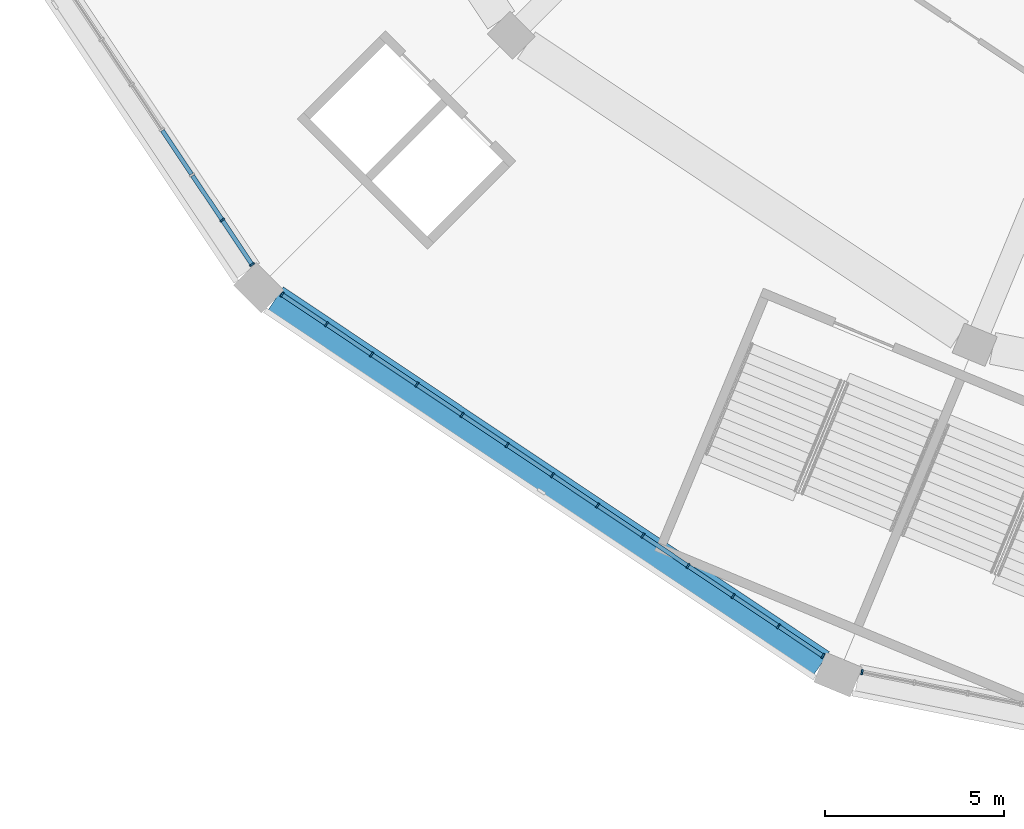
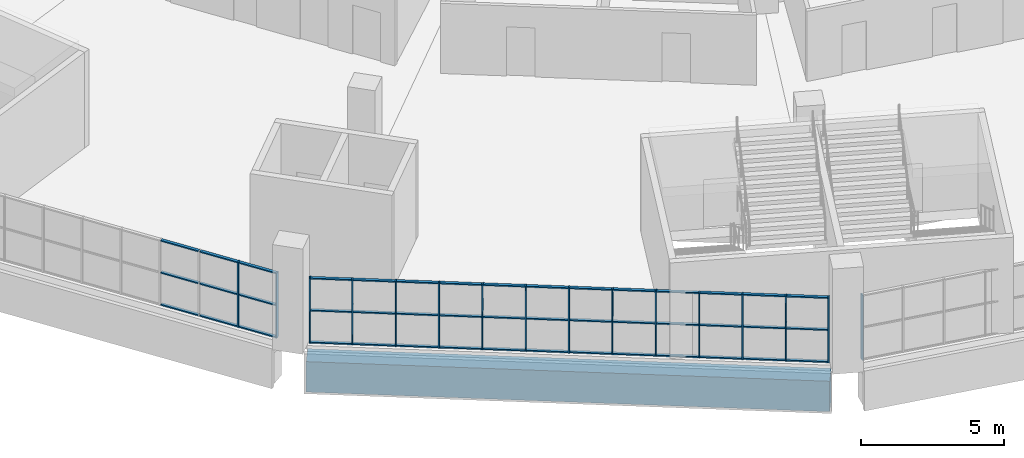
# One storey, part 2 of 199: 61 members, 1 beam, 3 elements without a shape of their own.
"""IFC4 building model written with IfcOpenShell, lengths in metres."""

from ifc_helpers import new_model, si_unit, direction, frame, origin, origin_2d, place, context, subcontext, project, spatial, rectangle, extrude, material, material_profile, profile_set, type_object, element, aggregate, save


model = new_model("IFC4")

# Units and contexts
model_context = context("Model", 3, precision=1e-05, world=origin(), true_north=direction((0.0, 1.0)))
body_context = subcontext(model_context, "Body", "Model", "MODEL_VIEW")
ifc_project = project(units=[si_unit("LENGTHUNIT", "METRE"), si_unit("AREAUNIT", "SQUARE_METRE"), si_unit("VOLUMEUNIT", "CUBIC_METRE"), si_unit("PLANEANGLEUNIT", "RADIAN"), si_unit("MASSUNIT", "GRAM", prefix="KILO")], contexts=[model_context])

# Site, building, storey
site_placement = place(None, origin())
site = spatial("IfcSite", under=ifc_project, at=site_placement, CompositionType="ELEMENT")
building_placement = place(site_placement, origin())
building = spatial("IfcBuilding", under=site, at=building_placement, Name="Ogive Plaza Stadium", CompositionType="ELEMENT")
storey_placement = place(building_placement, frame((0.0, 0.0, 9.0)))
storey = spatial("IfcBuildingStorey", under=building, at=storey_placement, Name="L02", CompositionType="ELEMENT", Elevation=9.0)

# Curtain wall, member
ifc_material_1 = material(Name="Bronze-anodised aluminium with laminated glass", Category="aluminium")
curtain_wall_type = type_object("IfcCurtainWallType", Name="Lancet curtain wall", PredefinedType="NOTDEFINED", material=ifc_material_1)
curtain_wall_1_placement = place(storey_placement, origin())
curtain_wall_1 = element("IfcCurtainWall", 1, at=curtain_wall_1_placement, inside=storey, type_object=curtain_wall_type, Name="CURTAIN WALL B17 L02", PredefinedType="NOTDEFINED")
ifc_material_2 = material(Name="Bronze-anodised aluminium", Category="aluminium")
ifc_material_profile_1 = material_profile(ifc_material_2, rectangle(XDim=0.14990234375, YDim=0.050048828125, at=origin_2d()), Name="AL 150x50")
ifc_profile_set_1 = profile_set([ifc_material_profile_1], Name="Bronze-anodised aluminium")
member_type_1 = type_object("IfcMemberType", Name="Curtain wall mullion 50x150", PredefinedType="MULLION", material=ifc_profile_set_1)
member_1_placement = place(storey_placement, frame((-52.462158203125, -98.623779296875, 0.0), z_axis=(0.0, 0.0, 1.0), x_axis=(-0.195090322033, -0.9807852804, 0.0)))
member_1 = element("IfcMember", 2, at=member_1_placement, type_object=member_type_1, Name="CW-B17-L02 mullion 13", PredefinedType="MULLION", context=body_context, shape_type="SweptSolid", body=[
    extrude(rectangle(XDim=0.14990234375, YDim=0.050048828125, at=origin_2d()), origin(), (0.0, 0.0, 1.0), 2.7900390625),
])
aggregate(curtain_wall_1, [member_1])

# Curtain wall, members
curtain_wall_2_placement = place(storey_placement, origin())
curtain_wall_2 = element("IfcCurtainWall", 3, at=curtain_wall_2_placement, inside=storey, type_object=curtain_wall_type, Name="CURTAIN WALL B18 L02", PredefinedType="NOTDEFINED")
member_2_placement = place(storey_placement, frame((-53.559814453125, -98.169189453125, 0.0), z_axis=(0.0, 0.0, 1.0), x_axis=(-0.55557023302, -0.831469612303, 0.0)))
member_2 = element("IfcMember", 4, at=member_2_placement, type_object=member_type_1, Name="CW-B18-L02 mullion 1", PredefinedType="MULLION", context=body_context, shape_type="SweptSolid", body=[
    extrude(rectangle(XDim=0.14990234375, YDim=0.050048828125, at=origin_2d()), origin(), (0.0, 0.0, 1.0), 2.7900390625),
])
member_3_placement = place(storey_placement, frame((-54.8046875, -97.337158203125, 0.0), z_axis=(0.0, 0.0, 1.0), x_axis=(-0.55557023302, -0.831469612303, 0.0)))
member_3 = element("IfcMember", 5, at=member_3_placement, type_object=member_type_1, Name="CW-B18-L02 mullion 2", PredefinedType="MULLION", context=body_context, shape_type="SweptSolid", body=[
    extrude(rectangle(XDim=0.14990234375, YDim=0.050048828125, at=origin_2d()), origin(), (0.0, 0.0, 1.0), 2.7900390625),
])
member_4_placement = place(storey_placement, frame((-56.070556640625, -96.491455078125, 0.0), z_axis=(0.0, 0.0, 1.0), x_axis=(-0.55557023302, -0.831469612303, 0.0)))
member_4 = element("IfcMember", 6, at=member_4_placement, type_object=member_type_1, Name="CW-B18-L02 mullion 3", PredefinedType="MULLION", context=body_context, shape_type="SweptSolid", body=[
    extrude(rectangle(XDim=0.14990234375, YDim=0.050048828125, at=origin_2d()), origin(), (0.0, 0.0, 1.0), 2.7900390625),
])
member_5_placement = place(storey_placement, frame((-57.336181640625, -95.645751953125, 0.0), z_axis=(0.0, 0.0, 1.0), x_axis=(-0.55557023302, -0.831469612303, 0.0)))
member_5 = element("IfcMember", 7, at=member_5_placement, type_object=member_type_1, Name="CW-B18-L02 mullion 4", PredefinedType="MULLION", context=body_context, shape_type="SweptSolid", body=[
    extrude(rectangle(XDim=0.14990234375, YDim=0.050048828125, at=origin_2d()), origin(), (0.0, 0.0, 1.0), 2.7900390625),
])
member_6_placement = place(storey_placement, frame((-58.60205078125, -94.7998046875, 0.0), z_axis=(0.0, 0.0, 1.0), x_axis=(-0.55557023302, -0.831469612303, 0.0)))
member_6 = element("IfcMember", 8, at=member_6_placement, type_object=member_type_1, Name="CW-B18-L02 mullion 5", PredefinedType="MULLION", context=body_context, shape_type="SweptSolid", body=[
    extrude(rectangle(XDim=0.14990234375, YDim=0.050048828125, at=origin_2d()), origin(), (0.0, 0.0, 1.0), 2.7900390625),
])
member_7_placement = place(storey_placement, frame((-59.867919921875, -93.9541015625, 0.0), z_axis=(0.0, 0.0, 1.0), x_axis=(-0.55557023302, -0.831469612303, 0.0)))
member_7 = element("IfcMember", 9, at=member_7_placement, type_object=member_type_1, Name="CW-B18-L02 mullion 6", PredefinedType="MULLION", context=body_context, shape_type="SweptSolid", body=[
    extrude(rectangle(XDim=0.14990234375, YDim=0.050048828125, at=origin_2d()), origin(), (0.0, 0.0, 1.0), 2.7900390625),
])
member_8_placement = place(storey_placement, frame((-61.133544921875, -93.1083984375, 0.0), z_axis=(0.0, 0.0, 1.0), x_axis=(-0.55557023302, -0.831469612303, 0.0)))
member_8 = element("IfcMember", 10, at=member_8_placement, type_object=member_type_1, Name="CW-B18-L02 mullion 7", PredefinedType="MULLION", context=body_context, shape_type="SweptSolid", body=[
    extrude(rectangle(XDim=0.14990234375, YDim=0.050048828125, at=origin_2d()), origin(), (0.0, 0.0, 1.0), 2.7900390625),
])
member_9_placement = place(storey_placement, frame((-62.3994140625, -92.2626953125, 0.0), z_axis=(0.0, 0.0, 1.0), x_axis=(-0.55557023302, -0.831469612303, 0.0)))
member_9 = element("IfcMember", 11, at=member_9_placement, type_object=member_type_1, Name="CW-B18-L02 mullion 8", PredefinedType="MULLION", context=body_context, shape_type="SweptSolid", body=[
    extrude(rectangle(XDim=0.14990234375, YDim=0.050048828125, at=origin_2d()), origin(), (0.0, 0.0, 1.0), 2.7900390625),
])
member_10_placement = place(storey_placement, frame((-63.665283203125, -91.416748046875, 0.0), z_axis=(0.0, 0.0, 1.0), x_axis=(-0.55557023302, -0.831469612303, 0.0)))
member_10 = element("IfcMember", 12, at=member_10_placement, type_object=member_type_1, Name="CW-B18-L02 mullion 9", PredefinedType="MULLION", context=body_context, shape_type="SweptSolid", body=[
    extrude(rectangle(XDim=0.14990234375, YDim=0.050048828125, at=origin_2d()), origin(), (0.0, 0.0, 1.0), 2.7900390625),
])
member_11_placement = place(storey_placement, frame((-64.930908203125, -90.571044921875, 0.0), z_axis=(0.0, 0.0, 1.0), x_axis=(-0.55557023302, -0.831469612303, 0.0)))
member_11 = element("IfcMember", 13, at=member_11_placement, type_object=member_type_1, Name="CW-B18-L02 mullion 10", PredefinedType="MULLION", context=body_context, shape_type="SweptSolid", body=[
    extrude(rectangle(XDim=0.14990234375, YDim=0.050048828125, at=origin_2d()), origin(), (0.0, 0.0, 1.0), 2.7900390625),
])
member_12_placement = place(storey_placement, frame((-66.19677734375, -89.725341796875, 0.0), z_axis=(0.0, 0.0, 1.0), x_axis=(-0.55557023302, -0.831469612303, 0.0)))
member_12 = element("IfcMember", 14, at=member_12_placement, type_object=member_type_1, Name="CW-B18-L02 mullion 11", PredefinedType="MULLION", context=body_context, shape_type="SweptSolid", body=[
    extrude(rectangle(XDim=0.14990234375, YDim=0.050048828125, at=origin_2d()), origin(), (0.0, 0.0, 1.0), 2.7900390625),
])
member_13_placement = place(storey_placement, frame((-67.462646484375, -88.879638671875, 0.0), z_axis=(0.0, 0.0, 1.0), x_axis=(-0.55557023302, -0.831469612303, 0.0)))
member_13 = element("IfcMember", 15, at=member_13_placement, type_object=member_type_1, Name="CW-B18-L02 mullion 12", PredefinedType="MULLION", context=body_context, shape_type="SweptSolid", body=[
    extrude(rectangle(XDim=0.14990234375, YDim=0.050048828125, at=origin_2d()), origin(), (0.0, 0.0, 1.0), 2.7900390625),
])
member_14_placement = place(storey_placement, frame((-68.70751953125, -88.047607421875, 0.0), z_axis=(0.0, 0.0, 1.0), x_axis=(-0.55557023302, -0.831469612303, 0.0)))
member_14 = element("IfcMember", 16, at=member_14_placement, type_object=member_type_1, Name="CW-B18-L02 mullion 13", PredefinedType="MULLION", context=body_context, shape_type="SweptSolid", body=[
    extrude(rectangle(XDim=0.14990234375, YDim=0.050048828125, at=origin_2d()), origin(), (0.0, 0.0, 1.0), 2.7900390625),
])

curtain_wall_3_placement = place(storey_placement, origin())
curtain_wall_3 = element("IfcCurtainWall", 17, at=curtain_wall_3_placement, inside=storey, type_object=curtain_wall_type, Name="CURTAIN WALL B19 L02", PredefinedType="NOTDEFINED")
member_15_placement = place(storey_placement, frame((-69.547607421875, -87.20751953125, 0.0), z_axis=(0.0, 0.0, 1.0), x_axis=(-0.831469612303, -0.55557023302, 0.0)))
member_15 = element("IfcMember", 18, at=member_15_placement, type_object=member_type_1, Name="CW-B19-L02 mullion 1", PredefinedType="MULLION", context=body_context, shape_type="SweptSolid", body=[
    extrude(rectangle(XDim=0.14990234375, YDim=0.050048828125, at=origin_2d()), origin(), (0.0, 0.0, 1.0), 2.7900390625),
])
member_16_placement = place(storey_placement, frame((-70.379638671875, -85.962646484375, 0.0), z_axis=(0.0, 0.0, 1.0), x_axis=(-0.831469612303, -0.55557023302, 0.0)))
member_16 = element("IfcMember", 19, at=member_16_placement, type_object=member_type_1, Name="CW-B19-L02 mullion 2", PredefinedType="MULLION", context=body_context, shape_type="SweptSolid", body=[
    extrude(rectangle(XDim=0.14990234375, YDim=0.050048828125, at=origin_2d()), origin(), (0.0, 0.0, 1.0), 2.7900390625),
])

# Member
ifc_material_3 = material(Name="Bronze-anodised aluminium", Category="aluminium")
ifc_material_profile_2 = material_profile(ifc_material_3, rectangle(XDim=0.1201171875, YDim=0.050048828125, at=origin_2d()), Name="AL 120x50")
ifc_profile_set_2 = profile_set([ifc_material_profile_2], Name="Bronze-anodised aluminium")
member_type_2 = type_object("IfcMemberType", Name="Curtain wall transom 50x120", PredefinedType="USERDEFINED", material=ifc_profile_set_2)
member_17_placement = place(storey_placement, frame((-53.58056640625, -98.1552734375, 0.02490234375), z_axis=(-0.831426948977, 0.555634077892, 0.0), x_axis=(-0.555634077892, -0.831426948977, 0.0)))
member_17 = element("IfcMember", 20, at=member_17_placement, type_object=member_type_2, Name="CW-B18-L02 transom 1.1", ObjectType="TRANSOM", PredefinedType="USERDEFINED", context=body_context, shape_type="SweptSolid", body=[
    extrude(rectangle(XDim=0.1201171875, YDim=0.050048828125, at=origin_2d()), origin(), (0.0, 0.0, 1.0), 1.447265625),
])

member_18_placement = place(storey_placement, frame((-53.58056640625, -98.1552734375, 1.39501953125), z_axis=(-0.831426948977, 0.555634077892, 0.0), x_axis=(-0.555634077892, -0.831426948977, 0.0)))
member_18 = element("IfcMember", 21, at=member_18_placement, type_object=member_type_2, Name="CW-B18-L02 transom 1.2", ObjectType="TRANSOM", PredefinedType="USERDEFINED", context=body_context, shape_type="SweptSolid", body=[
    extrude(rectangle(XDim=0.1201171875, YDim=0.050048828125, at=origin_2d()), origin(), (0.0, 0.0, 1.0), 1.447265625),
])

member_19_placement = place(storey_placement, frame((-53.58056640625, -98.1552734375, 2.764892578125), z_axis=(-0.831426948977, 0.555634077892, 0.0), x_axis=(-0.555634077892, -0.831426948977, 0.0)))
member_19 = element("IfcMember", 22, at=member_19_placement, type_object=member_type_2, Name="CW-B18-L02 transom 1.3", ObjectType="TRANSOM", PredefinedType="USERDEFINED", context=body_context, shape_type="SweptSolid", body=[
    extrude(rectangle(XDim=0.1201171875, YDim=0.050048828125, at=origin_2d()), origin(), (0.0, 0.0, 1.0), 1.447265625),
])

member_20_placement = place(storey_placement, frame((-54.825439453125, -97.3232421875, 0.02490234375), z_axis=(-0.83153975619, 0.555465240925, 0.0), x_axis=(-0.555465240925, -0.83153975619, 0.0)))
member_20 = element("IfcMember", 23, at=member_20_placement, type_object=member_type_2, Name="CW-B18-L02 transom 2.1", ObjectType="TRANSOM", PredefinedType="USERDEFINED", context=body_context, shape_type="SweptSolid", body=[
    extrude(rectangle(XDim=0.1201171875, YDim=0.050048828125, at=origin_2d()), origin(), (0.0, 0.0, 1.0), 1.472412109375),
])

member_21_placement = place(storey_placement, frame((-54.825439453125, -97.3232421875, 1.39501953125), z_axis=(-0.83153975619, 0.555465240925, 0.0), x_axis=(-0.555465240925, -0.83153975619, 0.0)))
member_21 = element("IfcMember", 24, at=member_21_placement, type_object=member_type_2, Name="CW-B18-L02 transom 2.2", ObjectType="TRANSOM", PredefinedType="USERDEFINED", context=body_context, shape_type="SweptSolid", body=[
    extrude(rectangle(XDim=0.1201171875, YDim=0.050048828125, at=origin_2d()), origin(), (0.0, 0.0, 1.0), 1.472412109375),
])

member_22_placement = place(storey_placement, frame((-54.825439453125, -97.3232421875, 2.764892578125), z_axis=(-0.83153975619, 0.555465240925, 0.0), x_axis=(-0.555465240925, -0.83153975619, 0.0)))
member_22 = element("IfcMember", 25, at=member_22_placement, type_object=member_type_2, Name="CW-B18-L02 transom 2.3", ObjectType="TRANSOM", PredefinedType="USERDEFINED", context=body_context, shape_type="SweptSolid", body=[
    extrude(rectangle(XDim=0.1201171875, YDim=0.050048828125, at=origin_2d()), origin(), (0.0, 0.0, 1.0), 1.472412109375),
])

member_23_placement = place(storey_placement, frame((-56.09130859375, -96.4775390625, 0.02490234375), z_axis=(-0.831488586159, 0.555541835587, 0.0), x_axis=(-0.555541835587, -0.831488586159, 0.0)))
member_23 = element("IfcMember", 26, at=member_23_placement, type_object=member_type_2, Name="CW-B18-L02 transom 3.1", ObjectType="TRANSOM", PredefinedType="USERDEFINED", context=body_context, shape_type="SweptSolid", body=[
    extrude(rectangle(XDim=0.1201171875, YDim=0.050048828125, at=origin_2d()), origin(), (0.0, 0.0, 1.0), 1.47216796875),
])

member_24_placement = place(storey_placement, frame((-56.09130859375, -96.4775390625, 1.39501953125), z_axis=(-0.831488586159, 0.555541835587, 0.0), x_axis=(-0.555541835587, -0.831488586159, 0.0)))
member_24 = element("IfcMember", 27, at=member_24_placement, type_object=member_type_2, Name="CW-B18-L02 transom 3.2", ObjectType="TRANSOM", PredefinedType="USERDEFINED", context=body_context, shape_type="SweptSolid", body=[
    extrude(rectangle(XDim=0.1201171875, YDim=0.050048828125, at=origin_2d()), origin(), (0.0, 0.0, 1.0), 1.47216796875),
])

member_25_placement = place(storey_placement, frame((-56.09130859375, -96.4775390625, 2.764892578125), z_axis=(-0.831488586159, 0.555541835587, 0.0), x_axis=(-0.555541835587, -0.831488586159, 0.0)))
member_25 = element("IfcMember", 28, at=member_25_placement, type_object=member_type_2, Name="CW-B18-L02 transom 3.3", ObjectType="TRANSOM", PredefinedType="USERDEFINED", context=body_context, shape_type="SweptSolid", body=[
    extrude(rectangle(XDim=0.1201171875, YDim=0.050048828125, at=origin_2d()), origin(), (0.0, 0.0, 1.0), 1.47216796875),
])

member_26_placement = place(storey_placement, frame((-57.357177734375, -95.6318359375, 0.02490234375), z_axis=(-0.831411982446, 0.555656472512, 0.0), x_axis=(-0.555656472512, -0.831411982446, 0.0)))
member_26 = element("IfcMember", 29, at=member_26_placement, type_object=member_type_2, Name="CW-B18-L02 transom 4.1", ObjectType="TRANSOM", PredefinedType="USERDEFINED", context=body_context, shape_type="SweptSolid", body=[
    extrude(rectangle(XDim=0.1201171875, YDim=0.050048828125, at=origin_2d()), origin(), (0.0, 0.0, 1.0), 1.472412109375),
])

member_27_placement = place(storey_placement, frame((-57.357177734375, -95.6318359375, 1.39501953125), z_axis=(-0.831411982446, 0.555656472512, 0.0), x_axis=(-0.555656472512, -0.831411982446, 0.0)))
member_27 = element("IfcMember", 30, at=member_27_placement, type_object=member_type_2, Name="CW-B18-L02 transom 4.2", ObjectType="TRANSOM", PredefinedType="USERDEFINED", context=body_context, shape_type="SweptSolid", body=[
    extrude(rectangle(XDim=0.1201171875, YDim=0.050048828125, at=origin_2d()), origin(), (0.0, 0.0, 1.0), 1.472412109375),
])

member_28_placement = place(storey_placement, frame((-57.357177734375, -95.6318359375, 2.764892578125), z_axis=(-0.831411982446, 0.555656472512, 0.0), x_axis=(-0.555656472512, -0.831411982446, 0.0)))
member_28 = element("IfcMember", 31, at=member_28_placement, type_object=member_type_2, Name="CW-B18-L02 transom 4.3", ObjectType="TRANSOM", PredefinedType="USERDEFINED", context=body_context, shape_type="SweptSolid", body=[
    extrude(rectangle(XDim=0.1201171875, YDim=0.050048828125, at=origin_2d()), origin(), (0.0, 0.0, 1.0), 1.472412109375),
])

member_29_placement = place(storey_placement, frame((-58.622802734375, -94.7861328125, 0.02490234375), z_axis=(-0.831463168883, 0.555579876157, 0.0), x_axis=(-0.555579876157, -0.831463168883, 0.0)))
member_29 = element("IfcMember", 32, at=member_29_placement, type_object=member_type_2, Name="CW-B18-L02 transom 5.1", ObjectType="TRANSOM", PredefinedType="USERDEFINED", context=body_context, shape_type="SweptSolid", body=[
    extrude(rectangle(XDim=0.1201171875, YDim=0.050048828125, at=origin_2d()), origin(), (0.0, 0.0, 1.0), 1.47265625),
])

member_30_placement = place(storey_placement, frame((-58.622802734375, -94.7861328125, 1.39501953125), z_axis=(-0.831463168883, 0.555579876157, 0.0), x_axis=(-0.555579876157, -0.831463168883, 0.0)))
member_30 = element("IfcMember", 33, at=member_30_placement, type_object=member_type_2, Name="CW-B18-L02 transom 5.2", ObjectType="TRANSOM", PredefinedType="USERDEFINED", context=body_context, shape_type="SweptSolid", body=[
    extrude(rectangle(XDim=0.1201171875, YDim=0.050048828125, at=origin_2d()), origin(), (0.0, 0.0, 1.0), 1.47265625),
])

member_31_placement = place(storey_placement, frame((-58.622802734375, -94.7861328125, 2.764892578125), z_axis=(-0.831463168883, 0.555579876157, 0.0), x_axis=(-0.555579876157, -0.831463168883, 0.0)))
member_31 = element("IfcMember", 34, at=member_31_placement, type_object=member_type_2, Name="CW-B18-L02 transom 5.3", ObjectType="TRANSOM", PredefinedType="USERDEFINED", context=body_context, shape_type="SweptSolid", body=[
    extrude(rectangle(XDim=0.1201171875, YDim=0.050048828125, at=origin_2d()), origin(), (0.0, 0.0, 1.0), 1.47265625),
])

member_32_placement = place(storey_placement, frame((-59.888671875, -93.940185546875, 0.02490234375), z_axis=(-0.831488586159, 0.555541835587, 0.0), x_axis=(-0.555541835587, -0.831488586159, 0.0)))
member_32 = element("IfcMember", 35, at=member_32_placement, type_object=member_type_2, Name="CW-B18-L02 transom 6.1", ObjectType="TRANSOM", PredefinedType="USERDEFINED", context=body_context, shape_type="SweptSolid", body=[
    extrude(rectangle(XDim=0.1201171875, YDim=0.050048828125, at=origin_2d()), origin(), (0.0, 0.0, 1.0), 1.47216796875),
])

member_33_placement = place(storey_placement, frame((-59.888671875, -93.940185546875, 1.39501953125), z_axis=(-0.831488586159, 0.555541835587, 0.0), x_axis=(-0.555541835587, -0.831488586159, 0.0)))
member_33 = element("IfcMember", 36, at=member_33_placement, type_object=member_type_2, Name="CW-B18-L02 transom 6.2", ObjectType="TRANSOM", PredefinedType="USERDEFINED", context=body_context, shape_type="SweptSolid", body=[
    extrude(rectangle(XDim=0.1201171875, YDim=0.050048828125, at=origin_2d()), origin(), (0.0, 0.0, 1.0), 1.47216796875),
])

member_34_placement = place(storey_placement, frame((-59.888671875, -93.940185546875, 2.764892578125), z_axis=(-0.831488586159, 0.555541835587, 0.0), x_axis=(-0.555541835587, -0.831488586159, 0.0)))
member_34 = element("IfcMember", 37, at=member_34_placement, type_object=member_type_2, Name="CW-B18-L02 transom 6.3", ObjectType="TRANSOM", PredefinedType="USERDEFINED", context=body_context, shape_type="SweptSolid", body=[
    extrude(rectangle(XDim=0.1201171875, YDim=0.050048828125, at=origin_2d()), origin(), (0.0, 0.0, 1.0), 1.47216796875),
])

member_35_placement = place(storey_placement, frame((-61.154541015625, -93.094482421875, 0.02490234375), z_axis=(-0.831411982446, 0.555656472512, 0.0), x_axis=(-0.555656472512, -0.831411982446, 0.0)))
member_35 = element("IfcMember", 38, at=member_35_placement, type_object=member_type_2, Name="CW-B18-L02 transom 7.1", ObjectType="TRANSOM", PredefinedType="USERDEFINED", context=body_context, shape_type="SweptSolid", body=[
    extrude(rectangle(XDim=0.1201171875, YDim=0.050048828125, at=origin_2d()), origin(), (0.0, 0.0, 1.0), 1.472412109375),
])

member_36_placement = place(storey_placement, frame((-61.154541015625, -93.094482421875, 1.39501953125), z_axis=(-0.831411982446, 0.555656472512, 0.0), x_axis=(-0.555656472512, -0.831411982446, 0.0)))
member_36 = element("IfcMember", 39, at=member_36_placement, type_object=member_type_2, Name="CW-B18-L02 transom 7.2", ObjectType="TRANSOM", PredefinedType="USERDEFINED", context=body_context, shape_type="SweptSolid", body=[
    extrude(rectangle(XDim=0.1201171875, YDim=0.050048828125, at=origin_2d()), origin(), (0.0, 0.0, 1.0), 1.472412109375),
])

member_37_placement = place(storey_placement, frame((-61.154541015625, -93.094482421875, 2.764892578125), z_axis=(-0.831411982446, 0.555656472512, 0.0), x_axis=(-0.555656472512, -0.831411982446, 0.0)))
member_37 = element("IfcMember", 40, at=member_37_placement, type_object=member_type_2, Name="CW-B18-L02 transom 7.3", ObjectType="TRANSOM", PredefinedType="USERDEFINED", context=body_context, shape_type="SweptSolid", body=[
    extrude(rectangle(XDim=0.1201171875, YDim=0.050048828125, at=origin_2d()), origin(), (0.0, 0.0, 1.0), 1.472412109375),
])

member_38_placement = place(storey_placement, frame((-62.420166015625, -92.248779296875, 0.02490234375), z_axis=(-0.831463168883, 0.555579876157, 0.0), x_axis=(-0.555579876157, -0.831463168883, 0.0)))
member_38 = element("IfcMember", 41, at=member_38_placement, type_object=member_type_2, Name="CW-B18-L02 transom 8.1", ObjectType="TRANSOM", PredefinedType="USERDEFINED", context=body_context, shape_type="SweptSolid", body=[
    extrude(rectangle(XDim=0.1201171875, YDim=0.050048828125, at=origin_2d()), origin(), (0.0, 0.0, 1.0), 1.47265625),
])

member_39_placement = place(storey_placement, frame((-62.420166015625, -92.248779296875, 1.39501953125), z_axis=(-0.831463168883, 0.555579876157, 0.0), x_axis=(-0.555579876157, -0.831463168883, 0.0)))
member_39 = element("IfcMember", 42, at=member_39_placement, type_object=member_type_2, Name="CW-B18-L02 transom 8.2", ObjectType="TRANSOM", PredefinedType="USERDEFINED", context=body_context, shape_type="SweptSolid", body=[
    extrude(rectangle(XDim=0.1201171875, YDim=0.050048828125, at=origin_2d()), origin(), (0.0, 0.0, 1.0), 1.47265625),
])

member_40_placement = place(storey_placement, frame((-62.420166015625, -92.248779296875, 2.764892578125), z_axis=(-0.831463168883, 0.555579876157, 0.0), x_axis=(-0.555579876157, -0.831463168883, 0.0)))
member_40 = element("IfcMember", 43, at=member_40_placement, type_object=member_type_2, Name="CW-B18-L02 transom 8.3", ObjectType="TRANSOM", PredefinedType="USERDEFINED", context=body_context, shape_type="SweptSolid", body=[
    extrude(rectangle(XDim=0.1201171875, YDim=0.050048828125, at=origin_2d()), origin(), (0.0, 0.0, 1.0), 1.47265625),
])

member_41_placement = place(storey_placement, frame((-63.68603515625, -91.40283203125, 0.02490234375), z_axis=(-0.831488586159, 0.555541835587, 0.0), x_axis=(-0.555541835587, -0.831488586159, 0.0)))
member_41 = element("IfcMember", 44, at=member_41_placement, type_object=member_type_2, Name="CW-B18-L02 transom 9.1", ObjectType="TRANSOM", PredefinedType="USERDEFINED", context=body_context, shape_type="SweptSolid", body=[
    extrude(rectangle(XDim=0.1201171875, YDim=0.050048828125, at=origin_2d()), origin(), (0.0, 0.0, 1.0), 1.47216796875),
])

member_42_placement = place(storey_placement, frame((-63.68603515625, -91.40283203125, 1.39501953125), z_axis=(-0.831488586159, 0.555541835587, 0.0), x_axis=(-0.555541835587, -0.831488586159, 0.0)))
member_42 = element("IfcMember", 45, at=member_42_placement, type_object=member_type_2, Name="CW-B18-L02 transom 9.2", ObjectType="TRANSOM", PredefinedType="USERDEFINED", context=body_context, shape_type="SweptSolid", body=[
    extrude(rectangle(XDim=0.1201171875, YDim=0.050048828125, at=origin_2d()), origin(), (0.0, 0.0, 1.0), 1.47216796875),
])

member_43_placement = place(storey_placement, frame((-63.68603515625, -91.40283203125, 2.764892578125), z_axis=(-0.831488586159, 0.555541835587, 0.0), x_axis=(-0.555541835587, -0.831488586159, 0.0)))
member_43 = element("IfcMember", 46, at=member_43_placement, type_object=member_type_2, Name="CW-B18-L02 transom 9.3", ObjectType="TRANSOM", PredefinedType="USERDEFINED", context=body_context, shape_type="SweptSolid", body=[
    extrude(rectangle(XDim=0.1201171875, YDim=0.050048828125, at=origin_2d()), origin(), (0.0, 0.0, 1.0), 1.47216796875),
])

member_44_placement = place(storey_placement, frame((-64.95166015625, -90.55712890625, 0.02490234375), z_axis=(-0.83153975619, 0.555465240925, 0.0), x_axis=(-0.555465240925, -0.83153975619, 0.0)))
member_44 = element("IfcMember", 47, at=member_44_placement, type_object=member_type_2, Name="CW-B18-L02 transom 10.1", ObjectType="TRANSOM", PredefinedType="USERDEFINED", context=body_context, shape_type="SweptSolid", body=[
    extrude(rectangle(XDim=0.1201171875, YDim=0.050048828125, at=origin_2d()), origin(), (0.0, 0.0, 1.0), 1.472412109375),
])

member_45_placement = place(storey_placement, frame((-64.95166015625, -90.55712890625, 1.39501953125), z_axis=(-0.83153975619, 0.555465240925, 0.0), x_axis=(-0.555465240925, -0.83153975619, 0.0)))
member_45 = element("IfcMember", 48, at=member_45_placement, type_object=member_type_2, Name="CW-B18-L02 transom 10.2", ObjectType="TRANSOM", PredefinedType="USERDEFINED", context=body_context, shape_type="SweptSolid", body=[
    extrude(rectangle(XDim=0.1201171875, YDim=0.050048828125, at=origin_2d()), origin(), (0.0, 0.0, 1.0), 1.472412109375),
])

member_46_placement = place(storey_placement, frame((-64.95166015625, -90.55712890625, 2.764892578125), z_axis=(-0.83153975619, 0.555465240925, 0.0), x_axis=(-0.555465240925, -0.83153975619, 0.0)))
member_46 = element("IfcMember", 49, at=member_46_placement, type_object=member_type_2, Name="CW-B18-L02 transom 10.3", ObjectType="TRANSOM", PredefinedType="USERDEFINED", context=body_context, shape_type="SweptSolid", body=[
    extrude(rectangle(XDim=0.1201171875, YDim=0.050048828125, at=origin_2d()), origin(), (0.0, 0.0, 1.0), 1.472412109375),
])

member_47_placement = place(storey_placement, frame((-66.217529296875, -89.71142578125, 0.02490234375), z_axis=(-0.831411982446, 0.555656472512, 0.0), x_axis=(-0.555656472512, -0.831411982446, 0.0)))
member_47 = element("IfcMember", 50, at=member_47_placement, type_object=member_type_2, Name="CW-B18-L02 transom 11.1", ObjectType="TRANSOM", PredefinedType="USERDEFINED", context=body_context, shape_type="SweptSolid", body=[
    extrude(rectangle(XDim=0.1201171875, YDim=0.050048828125, at=origin_2d()), origin(), (0.0, 0.0, 1.0), 1.472412109375),
])

member_48_placement = place(storey_placement, frame((-66.217529296875, -89.71142578125, 1.39501953125), z_axis=(-0.831411982446, 0.555656472512, 0.0), x_axis=(-0.555656472512, -0.831411982446, 0.0)))
member_48 = element("IfcMember", 51, at=member_48_placement, type_object=member_type_2, Name="CW-B18-L02 transom 11.2", ObjectType="TRANSOM", PredefinedType="USERDEFINED", context=body_context, shape_type="SweptSolid", body=[
    extrude(rectangle(XDim=0.1201171875, YDim=0.050048828125, at=origin_2d()), origin(), (0.0, 0.0, 1.0), 1.472412109375),
])

member_49_placement = place(storey_placement, frame((-66.217529296875, -89.71142578125, 2.764892578125), z_axis=(-0.831411982446, 0.555656472512, 0.0), x_axis=(-0.555656472512, -0.831411982446, 0.0)))
member_49 = element("IfcMember", 52, at=member_49_placement, type_object=member_type_2, Name="CW-B18-L02 transom 11.3", ObjectType="TRANSOM", PredefinedType="USERDEFINED", context=body_context, shape_type="SweptSolid", body=[
    extrude(rectangle(XDim=0.1201171875, YDim=0.050048828125, at=origin_2d()), origin(), (0.0, 0.0, 1.0), 1.472412109375),
])

member_50_placement = place(storey_placement, frame((-67.4833984375, -88.86572265625, 0.02490234375), z_axis=(-0.831426948977, 0.555634077892, 0.0), x_axis=(-0.555634077892, -0.831426948977, 0.0)))
member_50 = element("IfcMember", 53, at=member_50_placement, type_object=member_type_2, Name="CW-B18-L02 transom 12.1", ObjectType="TRANSOM", PredefinedType="USERDEFINED", context=body_context, shape_type="SweptSolid", body=[
    extrude(rectangle(XDim=0.1201171875, YDim=0.050048828125, at=origin_2d()), origin(), (0.0, 0.0, 1.0), 1.447265625),
])

member_51_placement = place(storey_placement, frame((-67.4833984375, -88.86572265625, 1.39501953125), z_axis=(-0.831426948977, 0.555634077892, 0.0), x_axis=(-0.555634077892, -0.831426948977, 0.0)))
member_51 = element("IfcMember", 54, at=member_51_placement, type_object=member_type_2, Name="CW-B18-L02 transom 12.2", ObjectType="TRANSOM", PredefinedType="USERDEFINED", context=body_context, shape_type="SweptSolid", body=[
    extrude(rectangle(XDim=0.1201171875, YDim=0.050048828125, at=origin_2d()), origin(), (0.0, 0.0, 1.0), 1.447265625),
])

member_52_placement = place(storey_placement, frame((-67.4833984375, -88.86572265625, 2.764892578125), z_axis=(-0.831426948977, 0.555634077892, 0.0), x_axis=(-0.555634077892, -0.831426948977, 0.0)))
member_52 = element("IfcMember", 55, at=member_52_placement, type_object=member_type_2, Name="CW-B18-L02 transom 12.3", ObjectType="TRANSOM", PredefinedType="USERDEFINED", context=body_context, shape_type="SweptSolid", body=[
    extrude(rectangle(XDim=0.1201171875, YDim=0.050048828125, at=origin_2d()), origin(), (0.0, 0.0, 1.0), 1.447265625),
])

aggregate(curtain_wall_2, [member_2, member_3, member_4, member_5, member_6, member_7, member_8, member_9, member_10, member_11, member_12, member_13, member_14, member_17, member_18, member_19, member_20, member_21, member_22, member_23, member_24, member_25, member_26, member_27, member_28, member_29, member_30, member_31, member_32, member_33, member_34, member_35, member_36, member_37, member_38, member_39, member_40, member_41, member_42, member_43, member_44, member_45, member_46, member_47, member_48, member_49, member_50, member_51, member_52])

member_53_placement = place(storey_placement, frame((-69.5615234375, -87.186767578125, 0.02490234375), z_axis=(-0.555634077892, 0.831426948977, 0.0), x_axis=(-0.831426948977, -0.555634077892, 0.0)))
member_53 = element("IfcMember", 56, at=member_53_placement, type_object=member_type_2, Name="CW-B19-L02 transom 1.1", ObjectType="TRANSOM", PredefinedType="USERDEFINED", context=body_context, shape_type="SweptSolid", body=[
    extrude(rectangle(XDim=0.1201171875, YDim=0.050048828125, at=origin_2d()), origin(), (0.0, 0.0, 1.0), 1.447265625),
])

member_54_placement = place(storey_placement, frame((-69.5615234375, -87.186767578125, 1.39501953125), z_axis=(-0.555634077892, 0.831426948977, 0.0), x_axis=(-0.831426948977, -0.555634077892, 0.0)))
member_54 = element("IfcMember", 57, at=member_54_placement, type_object=member_type_2, Name="CW-B19-L02 transom 1.2", ObjectType="TRANSOM", PredefinedType="USERDEFINED", context=body_context, shape_type="SweptSolid", body=[
    extrude(rectangle(XDim=0.1201171875, YDim=0.050048828125, at=origin_2d()), origin(), (0.0, 0.0, 1.0), 1.447265625),
])

member_55_placement = place(storey_placement, frame((-69.5615234375, -87.186767578125, 2.764892578125), z_axis=(-0.555634077892, 0.831426948977, 0.0), x_axis=(-0.831426948977, -0.555634077892, 0.0)))
member_55 = element("IfcMember", 58, at=member_55_placement, type_object=member_type_2, Name="CW-B19-L02 transom 1.3", ObjectType="TRANSOM", PredefinedType="USERDEFINED", context=body_context, shape_type="SweptSolid", body=[
    extrude(rectangle(XDim=0.1201171875, YDim=0.050048828125, at=origin_2d()), origin(), (0.0, 0.0, 1.0), 1.447265625),
])

member_56_placement = place(storey_placement, frame((-70.393310546875, -85.941650390625, 0.02490234375), z_axis=(-0.555656472512, 0.831411982446, 0.0), x_axis=(-0.831411982446, -0.555656472512, 0.0)))
member_56 = element("IfcMember", 59, at=member_56_placement, type_object=member_type_2, Name="CW-B19-L02 transom 2.1", ObjectType="TRANSOM", PredefinedType="USERDEFINED", context=body_context, shape_type="SweptSolid", body=[
    extrude(rectangle(XDim=0.1201171875, YDim=0.050048828125, at=origin_2d()), origin(), (0.0, 0.0, 1.0), 1.472412109375),
])

member_57_placement = place(storey_placement, frame((-70.393310546875, -85.941650390625, 1.39501953125), z_axis=(-0.555656472512, 0.831411982446, 0.0), x_axis=(-0.831411982446, -0.555656472512, 0.0)))
member_57 = element("IfcMember", 60, at=member_57_placement, type_object=member_type_2, Name="CW-B19-L02 transom 2.2", ObjectType="TRANSOM", PredefinedType="USERDEFINED", context=body_context, shape_type="SweptSolid", body=[
    extrude(rectangle(XDim=0.1201171875, YDim=0.050048828125, at=origin_2d()), origin(), (0.0, 0.0, 1.0), 1.472412109375),
])

member_58_placement = place(storey_placement, frame((-70.393310546875, -85.941650390625, 2.764892578125), z_axis=(-0.555656472512, 0.831411982446, 0.0), x_axis=(-0.831411982446, -0.555656472512, 0.0)))
member_58 = element("IfcMember", 61, at=member_58_placement, type_object=member_type_2, Name="CW-B19-L02 transom 2.3", ObjectType="TRANSOM", PredefinedType="USERDEFINED", context=body_context, shape_type="SweptSolid", body=[
    extrude(rectangle(XDim=0.1201171875, YDim=0.050048828125, at=origin_2d()), origin(), (0.0, 0.0, 1.0), 1.472412109375),
])

member_59_placement = place(storey_placement, frame((-71.2392578125, -84.676025390625, 0.02490234375), z_axis=(-0.555465240925, 0.83153975619, 0.0), x_axis=(-0.83153975619, -0.555465240925, 0.0)))
member_59 = element("IfcMember", 62, at=member_59_placement, type_object=member_type_2, Name="CW-B19-L02 transom 3.1", ObjectType="TRANSOM", PredefinedType="USERDEFINED", context=body_context, shape_type="SweptSolid", body=[
    extrude(rectangle(XDim=0.1201171875, YDim=0.050048828125, at=origin_2d()), origin(), (0.0, 0.0, 1.0), 1.472412109375),
])

member_60_placement = place(storey_placement, frame((-71.2392578125, -84.676025390625, 1.39501953125), z_axis=(-0.555465240925, 0.83153975619, 0.0), x_axis=(-0.83153975619, -0.555465240925, 0.0)))
member_60 = element("IfcMember", 63, at=member_60_placement, type_object=member_type_2, Name="CW-B19-L02 transom 3.2", ObjectType="TRANSOM", PredefinedType="USERDEFINED", context=body_context, shape_type="SweptSolid", body=[
    extrude(rectangle(XDim=0.1201171875, YDim=0.050048828125, at=origin_2d()), origin(), (0.0, 0.0, 1.0), 1.472412109375),
])

member_61_placement = place(storey_placement, frame((-71.2392578125, -84.676025390625, 2.764892578125), z_axis=(-0.555465240925, 0.83153975619, 0.0), x_axis=(-0.83153975619, -0.555465240925, 0.0)))
member_61 = element("IfcMember", 64, at=member_61_placement, type_object=member_type_2, Name="CW-B19-L02 transom 3.3", ObjectType="TRANSOM", PredefinedType="USERDEFINED", context=body_context, shape_type="SweptSolid", body=[
    extrude(rectangle(XDim=0.1201171875, YDim=0.050048828125, at=origin_2d()), origin(), (0.0, 0.0, 1.0), 1.472412109375),
])

aggregate(curtain_wall_3, [member_15, member_16, member_53, member_54, member_55, member_56, member_57, member_58, member_59, member_60, member_61])

# Beam
ifc_material_4 = material(Name="Concrete C40/50", Category="concrete")
ifc_material_profile_3 = material_profile(ifc_material_4, rectangle(XDim=0.800048828125, YDim=1.300048828125, at=origin_2d()), Name="RC 800x1300")
ifc_profile_set_3 = profile_set([ifc_material_profile_3], Name="Concrete C40/50")
beam_type = type_object("IfcBeamType", Name="RC spandrel beam 800x1300", PredefinedType="SPANDREL", material=ifc_profile_set_3)
beam_placement = place(storey_placement, frame((-53.600341796875, -98.38232421875, -1.06005859375), z_axis=(-0.831477897484, 0.555557833169, 0.0), x_axis=(-0.555557833169, -0.831477897484, 0.0)))
element("IfcBeam", 65, at=beam_placement, inside=storey, type_object=beam_type, Name="Ring beam F5 L02 B18", PredefinedType="SPANDREL", context=body_context, shape_type="SweptSolid", body=[
    extrude(rectangle(XDim=0.800048828125, YDim=1.300048828125, at=origin_2d()), origin(), (0.0, 0.0, 1.0), 18.387451171875),
])

save(model, "model.ifc")
